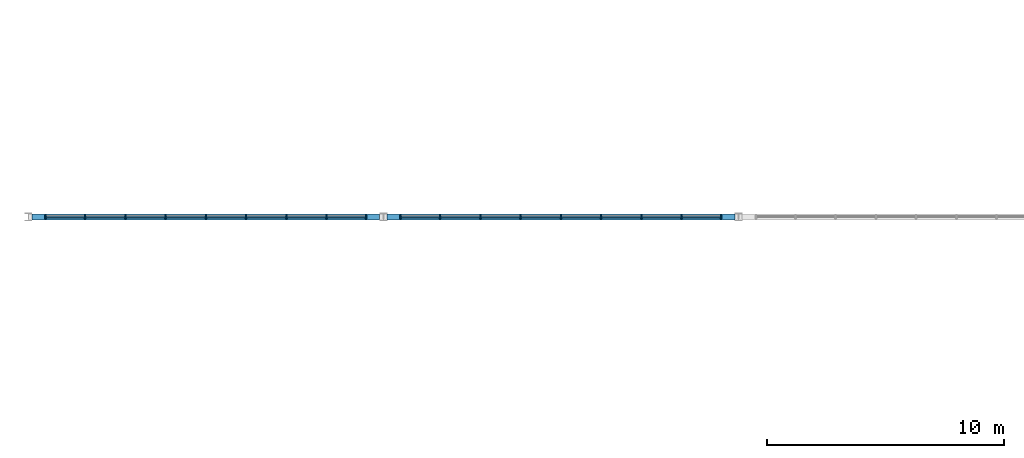
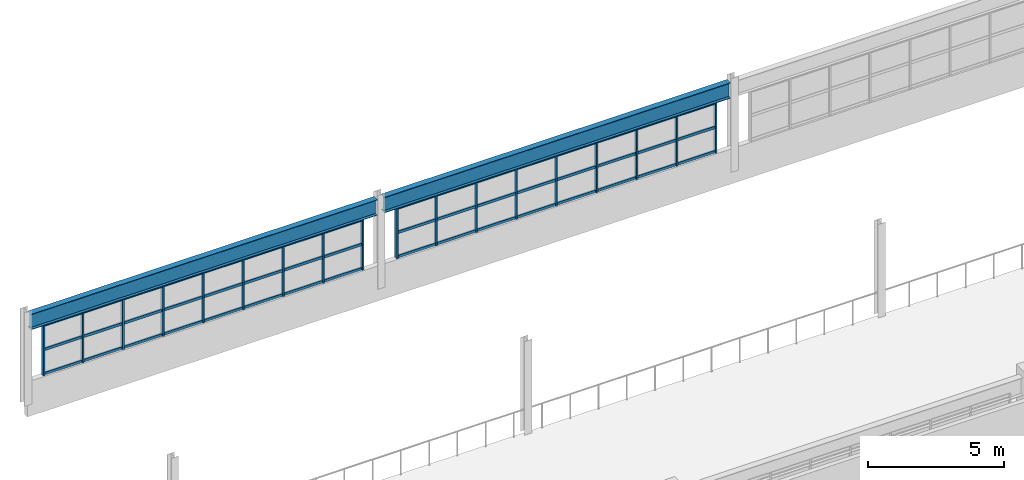
# One storey, part 13 of 92: 66 members, 2 beams, 2 elements without a shape of their own.
"""IFC4 building model written with IfcOpenShell, lengths in metres."""

from ifc_helpers import new_model, si_unit, direction, frame, origin, origin_2d, place, context, subcontext, project, spatial, rectangle, i_section, extrude, material, material_profile, profile_set, type_object, element, aggregate, save


model = new_model("IFC4")

# Units and contexts
model_context = context("Model", 3, precision=1e-05, world=origin(), true_north=direction((0.0, 1.0)))
body_context = subcontext(model_context, "Body", "Model", "MODEL_VIEW")
ifc_project = project(units=[si_unit("LENGTHUNIT", "METRE"), si_unit("AREAUNIT", "SQUARE_METRE"), si_unit("VOLUMEUNIT", "CUBIC_METRE"), si_unit("PLANEANGLEUNIT", "RADIAN"), si_unit("MASSUNIT", "GRAM", prefix="KILO")], contexts=[model_context])

# Site, building, storey
site_placement = place(None, origin())
site = spatial("IfcSite", under=ifc_project, at=site_placement, CompositionType="ELEMENT")
building_placement = place(site_placement, origin())
building = spatial("IfcBuilding", under=site, at=building_placement, Name="Solanera Park Tramway Depot", CompositionType="ELEMENT")
storey_placement = place(building_placement, frame((0.0, 0.0, 4.800048828125)))
storey = spatial("IfcBuildingStorey", under=building, at=storey_placement, Name="L01", CompositionType="ELEMENT", Elevation=4.800048828125)

# Curtain wall, members
ifc_material_1 = material(Name="Bronze-anodised thermally broken aluminium curtain wall", Category="aluminium")
curtain_wall_type = type_object("IfcCurtainWallType", Name="Workshop Daylight Ribbon Curtain Wall", PredefinedType="NOTDEFINED", material=ifc_material_1)
curtain_wall_1_placement = place(storey_placement, origin())
curtain_wall_1 = element("IfcCurtainWall", 1, at=curtain_wall_1_placement, inside=storey, type_object=curtain_wall_type, Name="L01 Workshop Daylight Ribbon Curtain Wall #140", PredefinedType="NOTDEFINED")
ifc_material_2 = material(Name="Bronze-anodised structural aluminium 6063-T6", Category="aluminium")
ifc_material_profile_1 = material_profile(ifc_material_2, rectangle(XDim=0.06494140625, YDim=0.14990234375, at=origin_2d()), Name="Curtain Wall Mullion 65x150")
ifc_profile_set_1 = profile_set([ifc_material_profile_1], Name="Bronze-anodised structural aluminium 6063-T6")
member_type_1 = type_object("IfcMemberType", Name="Curtain Wall Mullion 65x150", PredefinedType="MULLION", material=ifc_profile_set_1)
member_1_placement = place(storey_placement, frame((14.267578125, 54.0, 1.0), z_axis=(0.0, 0.0, 1.0), x_axis=(1.0, 0.0, 0.0)))
member_1 = element("IfcMember", 2, at=member_1_placement, type_object=member_type_1, Name="CW-L01-140 Mullion 1", PredefinedType="MULLION", context=body_context, shape_type="SweptSolid", body=[
    extrude(rectangle(XDim=0.06494140625, YDim=0.14990234375, at=origin_2d()), origin(), (0.0, 0.0, 1.0), 2.300048828125),
])
member_2_placement = place(storey_placement, frame((12.60009765625, 54.0, 1.0), z_axis=(0.0, 0.0, 1.0), x_axis=(1.0, 0.0, 0.0)))
member_2 = element("IfcMember", 3, at=member_2_placement, type_object=member_type_1, Name="CW-L01-140 Mullion 2", PredefinedType="MULLION", context=body_context, shape_type="SweptSolid", body=[
    extrude(rectangle(XDim=0.06494140625, YDim=0.14990234375, at=origin_2d()), origin(), (0.0, 0.0, 1.0), 2.300048828125),
])
member_3_placement = place(storey_placement, frame((10.89990234375, 54.0, 1.0), z_axis=(0.0, 0.0, 1.0), x_axis=(1.0, 0.0, 0.0)))
member_3 = element("IfcMember", 4, at=member_3_placement, type_object=member_type_1, Name="CW-L01-140 Mullion 3", PredefinedType="MULLION", context=body_context, shape_type="SweptSolid", body=[
    extrude(rectangle(XDim=0.06494140625, YDim=0.14990234375, at=origin_2d()), origin(), (0.0, 0.0, 1.0), 2.300048828125),
])
member_4_placement = place(storey_placement, frame((9.199951171875, 54.0, 1.0), z_axis=(0.0, 0.0, 1.0), x_axis=(1.0, 0.0, 0.0)))
member_4 = element("IfcMember", 5, at=member_4_placement, type_object=member_type_1, Name="CW-L01-140 Mullion 4", PredefinedType="MULLION", context=body_context, shape_type="SweptSolid", body=[
    extrude(rectangle(XDim=0.06494140625, YDim=0.14990234375, at=origin_2d()), origin(), (0.0, 0.0, 1.0), 2.300048828125),
])
member_5_placement = place(storey_placement, frame((7.5, 54.0, 1.0), z_axis=(0.0, 0.0, 1.0), x_axis=(1.0, 0.0, 0.0)))
member_5 = element("IfcMember", 6, at=member_5_placement, type_object=member_type_1, Name="CW-L01-140 Mullion 5", PredefinedType="MULLION", context=body_context, shape_type="SweptSolid", body=[
    extrude(rectangle(XDim=0.06494140625, YDim=0.14990234375, at=origin_2d()), origin(), (0.0, 0.0, 1.0), 2.300048828125),
])
member_6_placement = place(storey_placement, frame((5.800048828125, 54.0, 1.0), z_axis=(0.0, 0.0, 1.0), x_axis=(1.0, 0.0, 0.0)))
member_6 = element("IfcMember", 7, at=member_6_placement, type_object=member_type_1, Name="CW-L01-140 Mullion 6", PredefinedType="MULLION", context=body_context, shape_type="SweptSolid", body=[
    extrude(rectangle(XDim=0.06494140625, YDim=0.14990234375, at=origin_2d()), origin(), (0.0, 0.0, 1.0), 2.300048828125),
])
member_7_placement = place(storey_placement, frame((4.10009765625, 54.0, 1.0), z_axis=(0.0, 0.0, 1.0), x_axis=(1.0, 0.0, 0.0)))
member_7 = element("IfcMember", 8, at=member_7_placement, type_object=member_type_1, Name="CW-L01-140 Mullion 7", PredefinedType="MULLION", context=body_context, shape_type="SweptSolid", body=[
    extrude(rectangle(XDim=0.06494140625, YDim=0.14990234375, at=origin_2d()), origin(), (0.0, 0.0, 1.0), 2.300048828125),
])
member_8_placement = place(storey_placement, frame((2.39990234375, 54.0, 1.0), z_axis=(0.0, 0.0, 1.0), x_axis=(1.0, 0.0, 0.0)))
member_8 = element("IfcMember", 9, at=member_8_placement, type_object=member_type_1, Name="CW-L01-140 Mullion 8", PredefinedType="MULLION", context=body_context, shape_type="SweptSolid", body=[
    extrude(rectangle(XDim=0.06494140625, YDim=0.14990234375, at=origin_2d()), origin(), (0.0, 0.0, 1.0), 2.300048828125),
])
member_9_placement = place(storey_placement, frame((0.732421875, 54.0, 1.0), z_axis=(0.0, 0.0, 1.0), x_axis=(1.0, 0.0, 0.0)))
member_9 = element("IfcMember", 10, at=member_9_placement, type_object=member_type_1, Name="CW-L01-140 Mullion 9", PredefinedType="MULLION", context=body_context, shape_type="SweptSolid", body=[
    extrude(rectangle(XDim=0.06494140625, YDim=0.14990234375, at=origin_2d()), origin(), (0.0, 0.0, 1.0), 2.300048828125),
])

curtain_wall_2_placement = place(storey_placement, origin())
curtain_wall_2 = element("IfcCurtainWall", 11, at=curtain_wall_2_placement, inside=storey, type_object=curtain_wall_type, Name="L01 Workshop Daylight Ribbon Curtain Wall #142", PredefinedType="NOTDEFINED")
member_10_placement = place(storey_placement, frame((29.267578125, 54.0, 1.0), z_axis=(0.0, 0.0, 1.0), x_axis=(1.0, 0.0, 0.0)))
member_10 = element("IfcMember", 12, at=member_10_placement, type_object=member_type_1, Name="CW-L01-142 Mullion 1", PredefinedType="MULLION", context=body_context, shape_type="SweptSolid", body=[
    extrude(rectangle(XDim=0.06494140625, YDim=0.14990234375, at=origin_2d()), origin(), (0.0, 0.0, 1.0), 2.300048828125),
])
member_11_placement = place(storey_placement, frame((27.60009765625, 54.0, 1.0), z_axis=(0.0, 0.0, 1.0), x_axis=(1.0, 0.0, 0.0)))
member_11 = element("IfcMember", 13, at=member_11_placement, type_object=member_type_1, Name="CW-L01-142 Mullion 2", PredefinedType="MULLION", context=body_context, shape_type="SweptSolid", body=[
    extrude(rectangle(XDim=0.06494140625, YDim=0.14990234375, at=origin_2d()), origin(), (0.0, 0.0, 1.0), 2.300048828125),
])
member_12_placement = place(storey_placement, frame((25.89990234375, 54.0, 1.0), z_axis=(0.0, 0.0, 1.0), x_axis=(1.0, 0.0, 0.0)))
member_12 = element("IfcMember", 14, at=member_12_placement, type_object=member_type_1, Name="CW-L01-142 Mullion 3", PredefinedType="MULLION", context=body_context, shape_type="SweptSolid", body=[
    extrude(rectangle(XDim=0.06494140625, YDim=0.14990234375, at=origin_2d()), origin(), (0.0, 0.0, 1.0), 2.300048828125),
])
member_13_placement = place(storey_placement, frame((24.199951171875, 54.0, 1.0), z_axis=(0.0, 0.0, 1.0), x_axis=(1.0, 0.0, 0.0)))
member_13 = element("IfcMember", 15, at=member_13_placement, type_object=member_type_1, Name="CW-L01-142 Mullion 4", PredefinedType="MULLION", context=body_context, shape_type="SweptSolid", body=[
    extrude(rectangle(XDim=0.06494140625, YDim=0.14990234375, at=origin_2d()), origin(), (0.0, 0.0, 1.0), 2.300048828125),
])
member_14_placement = place(storey_placement, frame((22.5, 54.0, 1.0), z_axis=(0.0, 0.0, 1.0), x_axis=(1.0, 0.0, 0.0)))
member_14 = element("IfcMember", 16, at=member_14_placement, type_object=member_type_1, Name="CW-L01-142 Mullion 5", PredefinedType="MULLION", context=body_context, shape_type="SweptSolid", body=[
    extrude(rectangle(XDim=0.06494140625, YDim=0.14990234375, at=origin_2d()), origin(), (0.0, 0.0, 1.0), 2.300048828125),
])
member_15_placement = place(storey_placement, frame((20.800048828125, 54.0, 1.0), z_axis=(0.0, 0.0, 1.0), x_axis=(1.0, 0.0, 0.0)))
member_15 = element("IfcMember", 17, at=member_15_placement, type_object=member_type_1, Name="CW-L01-142 Mullion 6", PredefinedType="MULLION", context=body_context, shape_type="SweptSolid", body=[
    extrude(rectangle(XDim=0.06494140625, YDim=0.14990234375, at=origin_2d()), origin(), (0.0, 0.0, 1.0), 2.300048828125),
])
member_16_placement = place(storey_placement, frame((19.10009765625, 54.0, 1.0), z_axis=(0.0, 0.0, 1.0), x_axis=(1.0, 0.0, 0.0)))
member_16 = element("IfcMember", 18, at=member_16_placement, type_object=member_type_1, Name="CW-L01-142 Mullion 7", PredefinedType="MULLION", context=body_context, shape_type="SweptSolid", body=[
    extrude(rectangle(XDim=0.06494140625, YDim=0.14990234375, at=origin_2d()), origin(), (0.0, 0.0, 1.0), 2.300048828125),
])
member_17_placement = place(storey_placement, frame((17.39990234375, 54.0, 1.0), z_axis=(0.0, 0.0, 1.0), x_axis=(1.0, 0.0, 0.0)))
member_17 = element("IfcMember", 19, at=member_17_placement, type_object=member_type_1, Name="CW-L01-142 Mullion 8", PredefinedType="MULLION", context=body_context, shape_type="SweptSolid", body=[
    extrude(rectangle(XDim=0.06494140625, YDim=0.14990234375, at=origin_2d()), origin(), (0.0, 0.0, 1.0), 2.300048828125),
])
member_18_placement = place(storey_placement, frame((15.732421875, 54.0, 1.0), z_axis=(0.0, 0.0, 1.0), x_axis=(1.0, 0.0, 0.0)))
member_18 = element("IfcMember", 20, at=member_18_placement, type_object=member_type_1, Name="CW-L01-142 Mullion 9", PredefinedType="MULLION", context=body_context, shape_type="SweptSolid", body=[
    extrude(rectangle(XDim=0.06494140625, YDim=0.14990234375, at=origin_2d()), origin(), (0.0, 0.0, 1.0), 2.300048828125),
])

# Member
ifc_material_3 = material(Name="Bronze-anodised structural aluminium 6063-T6", Category="aluminium")
ifc_material_profile_2 = material_profile(ifc_material_3, rectangle(XDim=0.06494140625, YDim=0.1201171875, at=origin_2d()), Name="Curtain Wall Transom 65x120")
ifc_profile_set_2 = profile_set([ifc_material_profile_2], Name="Bronze-anodised structural aluminium 6063-T6")
member_type_2 = type_object("IfcMemberType", Name="Curtain Wall Transom 65x120", PredefinedType="USERDEFINED", material=ifc_profile_set_2)
member_19_placement = place(storey_placement, frame((14.239501953125, 54.0, 1.06005859375), z_axis=(-1.0, 0.0, 0.0), x_axis=(0.0, -1.0, 0.0)))
member_19 = element("IfcMember", 21, at=member_19_placement, type_object=member_type_2, Name="CW-L01-140 Transom R1.C1", ObjectType="TRANSOM", PredefinedType="USERDEFINED", context=body_context, shape_type="SweptSolid", body=[
    extrude(rectangle(XDim=0.06494140625, YDim=0.1201171875, at=origin_2d()), origin(), (0.0, 0.0, 1.0), 1.611572265625),
])

member_20_placement = place(storey_placement, frame((12.572021484375, 54.0, 1.06005859375), z_axis=(-1.0, 0.0, 0.0), x_axis=(0.0, -1.0, 0.0)))
member_20 = element("IfcMember", 22, at=member_20_placement, type_object=member_type_2, Name="CW-L01-140 Transom R1.C2", ObjectType="TRANSOM", PredefinedType="USERDEFINED", context=body_context, shape_type="SweptSolid", body=[
    extrude(rectangle(XDim=0.06494140625, YDim=0.1201171875, at=origin_2d()), origin(), (0.0, 0.0, 1.0), 1.64404296875),
])

member_21_placement = place(storey_placement, frame((10.8720703125, 54.0, 1.06005859375), z_axis=(-1.0, 0.0, 0.0), x_axis=(0.0, -1.0, 0.0)))
member_21 = element("IfcMember", 23, at=member_21_placement, type_object=member_type_2, Name="CW-L01-140 Transom R1.C3", ObjectType="TRANSOM", PredefinedType="USERDEFINED", context=body_context, shape_type="SweptSolid", body=[
    extrude(rectangle(XDim=0.06494140625, YDim=0.1201171875, at=origin_2d()), origin(), (0.0, 0.0, 1.0), 1.64404296875),
])

member_22_placement = place(storey_placement, frame((9.172119140625, 54.0, 1.06005859375), z_axis=(-1.0, 0.0, 0.0), x_axis=(0.0, -1.0, 0.0)))
member_22 = element("IfcMember", 24, at=member_22_placement, type_object=member_type_2, Name="CW-L01-140 Transom R1.C4", ObjectType="TRANSOM", PredefinedType="USERDEFINED", context=body_context, shape_type="SweptSolid", body=[
    extrude(rectangle(XDim=0.06494140625, YDim=0.1201171875, at=origin_2d()), origin(), (0.0, 0.0, 1.0), 1.64404296875),
])

member_23_placement = place(storey_placement, frame((7.471923828125, 54.0, 1.06005859375), z_axis=(-1.0, 0.0, 0.0), x_axis=(0.0, -1.0, 0.0)))
member_23 = element("IfcMember", 25, at=member_23_placement, type_object=member_type_2, Name="CW-L01-140 Transom R1.C5", ObjectType="TRANSOM", PredefinedType="USERDEFINED", context=body_context, shape_type="SweptSolid", body=[
    extrude(rectangle(XDim=0.06494140625, YDim=0.1201171875, at=origin_2d()), origin(), (0.0, 0.0, 1.0), 1.64404296875),
])

member_24_placement = place(storey_placement, frame((5.77197265625, 54.0, 1.06005859375), z_axis=(-1.0, 0.0, 0.0), x_axis=(0.0, -1.0, 0.0)))
member_24 = element("IfcMember", 26, at=member_24_placement, type_object=member_type_2, Name="CW-L01-140 Transom R1.C6", ObjectType="TRANSOM", PredefinedType="USERDEFINED", context=body_context, shape_type="SweptSolid", body=[
    extrude(rectangle(XDim=0.06494140625, YDim=0.1201171875, at=origin_2d()), origin(), (0.0, 0.0, 1.0), 1.64404296875),
])

member_25_placement = place(storey_placement, frame((4.072021484375, 54.0, 1.06005859375), z_axis=(-1.0, 0.0, 0.0), x_axis=(0.0, -1.0, 0.0)))
member_25 = element("IfcMember", 27, at=member_25_placement, type_object=member_type_2, Name="CW-L01-140 Transom R1.C7", ObjectType="TRANSOM", PredefinedType="USERDEFINED", context=body_context, shape_type="SweptSolid", body=[
    extrude(rectangle(XDim=0.06494140625, YDim=0.1201171875, at=origin_2d()), origin(), (0.0, 0.0, 1.0), 1.64404296875),
])

member_26_placement = place(storey_placement, frame((2.3720703125, 54.0, 1.06005859375), z_axis=(-1.0, 0.0, 0.0), x_axis=(0.0, -1.0, 0.0)))
member_26 = element("IfcMember", 28, at=member_26_placement, type_object=member_type_2, Name="CW-L01-140 Transom R1.C8", ObjectType="TRANSOM", PredefinedType="USERDEFINED", context=body_context, shape_type="SweptSolid", body=[
    extrude(rectangle(XDim=0.06494140625, YDim=0.1201171875, at=origin_2d()), origin(), (0.0, 0.0, 1.0), 1.611572265625),
])

member_27_placement = place(storey_placement, frame((14.239501953125, 54.0, 2.14990234375), z_axis=(-1.0, 0.0, 0.0), x_axis=(0.0, -1.0, 0.0)))
member_27 = element("IfcMember", 29, at=member_27_placement, type_object=member_type_2, Name="CW-L01-140 Transom R2.C1", ObjectType="TRANSOM", PredefinedType="USERDEFINED", context=body_context, shape_type="SweptSolid", body=[
    extrude(rectangle(XDim=0.06494140625, YDim=0.1201171875, at=origin_2d()), origin(), (0.0, 0.0, 1.0), 1.611572265625),
])

member_28_placement = place(storey_placement, frame((12.572021484375, 54.0, 2.14990234375), z_axis=(-1.0, 0.0, 0.0), x_axis=(0.0, -1.0, 0.0)))
member_28 = element("IfcMember", 30, at=member_28_placement, type_object=member_type_2, Name="CW-L01-140 Transom R2.C2", ObjectType="TRANSOM", PredefinedType="USERDEFINED", context=body_context, shape_type="SweptSolid", body=[
    extrude(rectangle(XDim=0.06494140625, YDim=0.1201171875, at=origin_2d()), origin(), (0.0, 0.0, 1.0), 1.64404296875),
])

member_29_placement = place(storey_placement, frame((10.8720703125, 54.0, 2.14990234375), z_axis=(-1.0, 0.0, 0.0), x_axis=(0.0, -1.0, 0.0)))
member_29 = element("IfcMember", 31, at=member_29_placement, type_object=member_type_2, Name="CW-L01-140 Transom R2.C3", ObjectType="TRANSOM", PredefinedType="USERDEFINED", context=body_context, shape_type="SweptSolid", body=[
    extrude(rectangle(XDim=0.06494140625, YDim=0.1201171875, at=origin_2d()), origin(), (0.0, 0.0, 1.0), 1.64404296875),
])

member_30_placement = place(storey_placement, frame((9.172119140625, 54.0, 2.14990234375), z_axis=(-1.0, 0.0, 0.0), x_axis=(0.0, -1.0, 0.0)))
member_30 = element("IfcMember", 32, at=member_30_placement, type_object=member_type_2, Name="CW-L01-140 Transom R2.C4", ObjectType="TRANSOM", PredefinedType="USERDEFINED", context=body_context, shape_type="SweptSolid", body=[
    extrude(rectangle(XDim=0.06494140625, YDim=0.1201171875, at=origin_2d()), origin(), (0.0, 0.0, 1.0), 1.64404296875),
])

member_31_placement = place(storey_placement, frame((7.471923828125, 54.0, 2.14990234375), z_axis=(-1.0, 0.0, 0.0), x_axis=(0.0, -1.0, 0.0)))
member_31 = element("IfcMember", 33, at=member_31_placement, type_object=member_type_2, Name="CW-L01-140 Transom R2.C5", ObjectType="TRANSOM", PredefinedType="USERDEFINED", context=body_context, shape_type="SweptSolid", body=[
    extrude(rectangle(XDim=0.06494140625, YDim=0.1201171875, at=origin_2d()), origin(), (0.0, 0.0, 1.0), 1.64404296875),
])

member_32_placement = place(storey_placement, frame((5.77197265625, 54.0, 2.14990234375), z_axis=(-1.0, 0.0, 0.0), x_axis=(0.0, -1.0, 0.0)))
member_32 = element("IfcMember", 34, at=member_32_placement, type_object=member_type_2, Name="CW-L01-140 Transom R2.C6", ObjectType="TRANSOM", PredefinedType="USERDEFINED", context=body_context, shape_type="SweptSolid", body=[
    extrude(rectangle(XDim=0.06494140625, YDim=0.1201171875, at=origin_2d()), origin(), (0.0, 0.0, 1.0), 1.64404296875),
])

member_33_placement = place(storey_placement, frame((4.072021484375, 54.0, 2.14990234375), z_axis=(-1.0, 0.0, 0.0), x_axis=(0.0, -1.0, 0.0)))
member_33 = element("IfcMember", 35, at=member_33_placement, type_object=member_type_2, Name="CW-L01-140 Transom R2.C7", ObjectType="TRANSOM", PredefinedType="USERDEFINED", context=body_context, shape_type="SweptSolid", body=[
    extrude(rectangle(XDim=0.06494140625, YDim=0.1201171875, at=origin_2d()), origin(), (0.0, 0.0, 1.0), 1.64404296875),
])

member_34_placement = place(storey_placement, frame((2.3720703125, 54.0, 2.14990234375), z_axis=(-1.0, 0.0, 0.0), x_axis=(0.0, -1.0, 0.0)))
member_34 = element("IfcMember", 36, at=member_34_placement, type_object=member_type_2, Name="CW-L01-140 Transom R2.C8", ObjectType="TRANSOM", PredefinedType="USERDEFINED", context=body_context, shape_type="SweptSolid", body=[
    extrude(rectangle(XDim=0.06494140625, YDim=0.1201171875, at=origin_2d()), origin(), (0.0, 0.0, 1.0), 1.611572265625),
])

member_35_placement = place(storey_placement, frame((14.239501953125, 54.0, 3.239990234375), z_axis=(-1.0, 0.0, 0.0), x_axis=(0.0, -1.0, 0.0)))
member_35 = element("IfcMember", 37, at=member_35_placement, type_object=member_type_2, Name="CW-L01-140 Transom R3.C1", ObjectType="TRANSOM", PredefinedType="USERDEFINED", context=body_context, shape_type="SweptSolid", body=[
    extrude(rectangle(XDim=0.06494140625, YDim=0.1201171875, at=origin_2d()), origin(), (0.0, 0.0, 1.0), 1.611572265625),
])

member_36_placement = place(storey_placement, frame((12.572021484375, 54.0, 3.239990234375), z_axis=(-1.0, 0.0, 0.0), x_axis=(0.0, -1.0, 0.0)))
member_36 = element("IfcMember", 38, at=member_36_placement, type_object=member_type_2, Name="CW-L01-140 Transom R3.C2", ObjectType="TRANSOM", PredefinedType="USERDEFINED", context=body_context, shape_type="SweptSolid", body=[
    extrude(rectangle(XDim=0.06494140625, YDim=0.1201171875, at=origin_2d()), origin(), (0.0, 0.0, 1.0), 1.64404296875),
])

member_37_placement = place(storey_placement, frame((10.8720703125, 54.0, 3.239990234375), z_axis=(-1.0, 0.0, 0.0), x_axis=(0.0, -1.0, 0.0)))
member_37 = element("IfcMember", 39, at=member_37_placement, type_object=member_type_2, Name="CW-L01-140 Transom R3.C3", ObjectType="TRANSOM", PredefinedType="USERDEFINED", context=body_context, shape_type="SweptSolid", body=[
    extrude(rectangle(XDim=0.06494140625, YDim=0.1201171875, at=origin_2d()), origin(), (0.0, 0.0, 1.0), 1.64404296875),
])

member_38_placement = place(storey_placement, frame((9.172119140625, 54.0, 3.239990234375), z_axis=(-1.0, 0.0, 0.0), x_axis=(0.0, -1.0, 0.0)))
member_38 = element("IfcMember", 40, at=member_38_placement, type_object=member_type_2, Name="CW-L01-140 Transom R3.C4", ObjectType="TRANSOM", PredefinedType="USERDEFINED", context=body_context, shape_type="SweptSolid", body=[
    extrude(rectangle(XDim=0.06494140625, YDim=0.1201171875, at=origin_2d()), origin(), (0.0, 0.0, 1.0), 1.64404296875),
])

member_39_placement = place(storey_placement, frame((7.471923828125, 54.0, 3.239990234375), z_axis=(-1.0, 0.0, 0.0), x_axis=(0.0, -1.0, 0.0)))
member_39 = element("IfcMember", 41, at=member_39_placement, type_object=member_type_2, Name="CW-L01-140 Transom R3.C5", ObjectType="TRANSOM", PredefinedType="USERDEFINED", context=body_context, shape_type="SweptSolid", body=[
    extrude(rectangle(XDim=0.06494140625, YDim=0.1201171875, at=origin_2d()), origin(), (0.0, 0.0, 1.0), 1.64404296875),
])

member_40_placement = place(storey_placement, frame((5.77197265625, 54.0, 3.239990234375), z_axis=(-1.0, 0.0, 0.0), x_axis=(0.0, -1.0, 0.0)))
member_40 = element("IfcMember", 42, at=member_40_placement, type_object=member_type_2, Name="CW-L01-140 Transom R3.C6", ObjectType="TRANSOM", PredefinedType="USERDEFINED", context=body_context, shape_type="SweptSolid", body=[
    extrude(rectangle(XDim=0.06494140625, YDim=0.1201171875, at=origin_2d()), origin(), (0.0, 0.0, 1.0), 1.64404296875),
])

member_41_placement = place(storey_placement, frame((4.072021484375, 54.0, 3.239990234375), z_axis=(-1.0, 0.0, 0.0), x_axis=(0.0, -1.0, 0.0)))
member_41 = element("IfcMember", 43, at=member_41_placement, type_object=member_type_2, Name="CW-L01-140 Transom R3.C7", ObjectType="TRANSOM", PredefinedType="USERDEFINED", context=body_context, shape_type="SweptSolid", body=[
    extrude(rectangle(XDim=0.06494140625, YDim=0.1201171875, at=origin_2d()), origin(), (0.0, 0.0, 1.0), 1.64404296875),
])

member_42_placement = place(storey_placement, frame((2.3720703125, 54.0, 3.239990234375), z_axis=(-1.0, 0.0, 0.0), x_axis=(0.0, -1.0, 0.0)))
member_42 = element("IfcMember", 44, at=member_42_placement, type_object=member_type_2, Name="CW-L01-140 Transom R3.C8", ObjectType="TRANSOM", PredefinedType="USERDEFINED", context=body_context, shape_type="SweptSolid", body=[
    extrude(rectangle(XDim=0.06494140625, YDim=0.1201171875, at=origin_2d()), origin(), (0.0, 0.0, 1.0), 1.611572265625),
])

aggregate(curtain_wall_1, [member_1, member_2, member_3, member_4, member_5, member_6, member_7, member_8, member_9, member_19, member_20, member_21, member_22, member_23, member_24, member_25, member_26, member_27, member_28, member_29, member_30, member_31, member_32, member_33, member_34, member_35, member_36, member_37, member_38, member_39, member_40, member_41, member_42])

member_43_placement = place(storey_placement, frame((29.239501953125, 54.0, 1.06005859375), z_axis=(-1.0, 0.0, 0.0), x_axis=(0.0, -1.0, 0.0)))
member_43 = element("IfcMember", 45, at=member_43_placement, type_object=member_type_2, Name="CW-L01-142 Transom R1.C1", ObjectType="TRANSOM", PredefinedType="USERDEFINED", context=body_context, shape_type="SweptSolid", body=[
    extrude(rectangle(XDim=0.06494140625, YDim=0.1201171875, at=origin_2d()), origin(), (0.0, 0.0, 1.0), 1.611572265625),
])

member_44_placement = place(storey_placement, frame((27.572021484375, 54.0, 1.06005859375), z_axis=(-1.0, 0.0, 0.0), x_axis=(0.0, -1.0, 0.0)))
member_44 = element("IfcMember", 46, at=member_44_placement, type_object=member_type_2, Name="CW-L01-142 Transom R1.C2", ObjectType="TRANSOM", PredefinedType="USERDEFINED", context=body_context, shape_type="SweptSolid", body=[
    extrude(rectangle(XDim=0.06494140625, YDim=0.1201171875, at=origin_2d()), origin(), (0.0, 0.0, 1.0), 1.64404296875),
])

member_45_placement = place(storey_placement, frame((25.8720703125, 54.0, 1.06005859375), z_axis=(-1.0, 0.0, 0.0), x_axis=(0.0, -1.0, 0.0)))
member_45 = element("IfcMember", 47, at=member_45_placement, type_object=member_type_2, Name="CW-L01-142 Transom R1.C3", ObjectType="TRANSOM", PredefinedType="USERDEFINED", context=body_context, shape_type="SweptSolid", body=[
    extrude(rectangle(XDim=0.06494140625, YDim=0.1201171875, at=origin_2d()), origin(), (0.0, 0.0, 1.0), 1.64404296875),
])

member_46_placement = place(storey_placement, frame((24.172119140625, 54.0, 1.06005859375), z_axis=(-1.0, 0.0, 0.0), x_axis=(0.0, -1.0, 0.0)))
member_46 = element("IfcMember", 48, at=member_46_placement, type_object=member_type_2, Name="CW-L01-142 Transom R1.C4", ObjectType="TRANSOM", PredefinedType="USERDEFINED", context=body_context, shape_type="SweptSolid", body=[
    extrude(rectangle(XDim=0.06494140625, YDim=0.1201171875, at=origin_2d()), origin(), (0.0, 0.0, 1.0), 1.64404296875),
])

member_47_placement = place(storey_placement, frame((22.471923828125, 54.0, 1.06005859375), z_axis=(-1.0, 0.0, 0.0), x_axis=(0.0, -1.0, 0.0)))
member_47 = element("IfcMember", 49, at=member_47_placement, type_object=member_type_2, Name="CW-L01-142 Transom R1.C5", ObjectType="TRANSOM", PredefinedType="USERDEFINED", context=body_context, shape_type="SweptSolid", body=[
    extrude(rectangle(XDim=0.06494140625, YDim=0.1201171875, at=origin_2d()), origin(), (0.0, 0.0, 1.0), 1.64404296875),
])

member_48_placement = place(storey_placement, frame((20.77197265625, 54.0, 1.06005859375), z_axis=(-1.0, 0.0, 0.0), x_axis=(0.0, -1.0, 0.0)))
member_48 = element("IfcMember", 50, at=member_48_placement, type_object=member_type_2, Name="CW-L01-142 Transom R1.C6", ObjectType="TRANSOM", PredefinedType="USERDEFINED", context=body_context, shape_type="SweptSolid", body=[
    extrude(rectangle(XDim=0.06494140625, YDim=0.1201171875, at=origin_2d()), origin(), (0.0, 0.0, 1.0), 1.64404296875),
])

member_49_placement = place(storey_placement, frame((19.072021484375, 54.0, 1.06005859375), z_axis=(-1.0, 0.0, 0.0), x_axis=(0.0, -1.0, 0.0)))
member_49 = element("IfcMember", 51, at=member_49_placement, type_object=member_type_2, Name="CW-L01-142 Transom R1.C7", ObjectType="TRANSOM", PredefinedType="USERDEFINED", context=body_context, shape_type="SweptSolid", body=[
    extrude(rectangle(XDim=0.06494140625, YDim=0.1201171875, at=origin_2d()), origin(), (0.0, 0.0, 1.0), 1.64404296875),
])

member_50_placement = place(storey_placement, frame((17.3720703125, 54.0, 1.06005859375), z_axis=(-1.0, 0.0, 0.0), x_axis=(0.0, -1.0, 0.0)))
member_50 = element("IfcMember", 52, at=member_50_placement, type_object=member_type_2, Name="CW-L01-142 Transom R1.C8", ObjectType="TRANSOM", PredefinedType="USERDEFINED", context=body_context, shape_type="SweptSolid", body=[
    extrude(rectangle(XDim=0.06494140625, YDim=0.1201171875, at=origin_2d()), origin(), (0.0, 0.0, 1.0), 1.611572265625),
])

member_51_placement = place(storey_placement, frame((29.239501953125, 54.0, 2.14990234375), z_axis=(-1.0, 0.0, 0.0), x_axis=(0.0, -1.0, 0.0)))
member_51 = element("IfcMember", 53, at=member_51_placement, type_object=member_type_2, Name="CW-L01-142 Transom R2.C1", ObjectType="TRANSOM", PredefinedType="USERDEFINED", context=body_context, shape_type="SweptSolid", body=[
    extrude(rectangle(XDim=0.06494140625, YDim=0.1201171875, at=origin_2d()), origin(), (0.0, 0.0, 1.0), 1.611572265625),
])

member_52_placement = place(storey_placement, frame((27.572021484375, 54.0, 2.14990234375), z_axis=(-1.0, 0.0, 0.0), x_axis=(0.0, -1.0, 0.0)))
member_52 = element("IfcMember", 54, at=member_52_placement, type_object=member_type_2, Name="CW-L01-142 Transom R2.C2", ObjectType="TRANSOM", PredefinedType="USERDEFINED", context=body_context, shape_type="SweptSolid", body=[
    extrude(rectangle(XDim=0.06494140625, YDim=0.1201171875, at=origin_2d()), origin(), (0.0, 0.0, 1.0), 1.64404296875),
])

member_53_placement = place(storey_placement, frame((25.8720703125, 54.0, 2.14990234375), z_axis=(-1.0, 0.0, 0.0), x_axis=(0.0, -1.0, 0.0)))
member_53 = element("IfcMember", 55, at=member_53_placement, type_object=member_type_2, Name="CW-L01-142 Transom R2.C3", ObjectType="TRANSOM", PredefinedType="USERDEFINED", context=body_context, shape_type="SweptSolid", body=[
    extrude(rectangle(XDim=0.06494140625, YDim=0.1201171875, at=origin_2d()), origin(), (0.0, 0.0, 1.0), 1.64404296875),
])

member_54_placement = place(storey_placement, frame((24.172119140625, 54.0, 2.14990234375), z_axis=(-1.0, 0.0, 0.0), x_axis=(0.0, -1.0, 0.0)))
member_54 = element("IfcMember", 56, at=member_54_placement, type_object=member_type_2, Name="CW-L01-142 Transom R2.C4", ObjectType="TRANSOM", PredefinedType="USERDEFINED", context=body_context, shape_type="SweptSolid", body=[
    extrude(rectangle(XDim=0.06494140625, YDim=0.1201171875, at=origin_2d()), origin(), (0.0, 0.0, 1.0), 1.64404296875),
])

member_55_placement = place(storey_placement, frame((22.471923828125, 54.0, 2.14990234375), z_axis=(-1.0, 0.0, 0.0), x_axis=(0.0, -1.0, 0.0)))
member_55 = element("IfcMember", 57, at=member_55_placement, type_object=member_type_2, Name="CW-L01-142 Transom R2.C5", ObjectType="TRANSOM", PredefinedType="USERDEFINED", context=body_context, shape_type="SweptSolid", body=[
    extrude(rectangle(XDim=0.06494140625, YDim=0.1201171875, at=origin_2d()), origin(), (0.0, 0.0, 1.0), 1.64404296875),
])

member_56_placement = place(storey_placement, frame((20.77197265625, 54.0, 2.14990234375), z_axis=(-1.0, 0.0, 0.0), x_axis=(0.0, -1.0, 0.0)))
member_56 = element("IfcMember", 58, at=member_56_placement, type_object=member_type_2, Name="CW-L01-142 Transom R2.C6", ObjectType="TRANSOM", PredefinedType="USERDEFINED", context=body_context, shape_type="SweptSolid", body=[
    extrude(rectangle(XDim=0.06494140625, YDim=0.1201171875, at=origin_2d()), origin(), (0.0, 0.0, 1.0), 1.64404296875),
])

member_57_placement = place(storey_placement, frame((19.072021484375, 54.0, 2.14990234375), z_axis=(-1.0, 0.0, 0.0), x_axis=(0.0, -1.0, 0.0)))
member_57 = element("IfcMember", 59, at=member_57_placement, type_object=member_type_2, Name="CW-L01-142 Transom R2.C7", ObjectType="TRANSOM", PredefinedType="USERDEFINED", context=body_context, shape_type="SweptSolid", body=[
    extrude(rectangle(XDim=0.06494140625, YDim=0.1201171875, at=origin_2d()), origin(), (0.0, 0.0, 1.0), 1.64404296875),
])

member_58_placement = place(storey_placement, frame((17.3720703125, 54.0, 2.14990234375), z_axis=(-1.0, 0.0, 0.0), x_axis=(0.0, -1.0, 0.0)))
member_58 = element("IfcMember", 60, at=member_58_placement, type_object=member_type_2, Name="CW-L01-142 Transom R2.C8", ObjectType="TRANSOM", PredefinedType="USERDEFINED", context=body_context, shape_type="SweptSolid", body=[
    extrude(rectangle(XDim=0.06494140625, YDim=0.1201171875, at=origin_2d()), origin(), (0.0, 0.0, 1.0), 1.611572265625),
])

member_59_placement = place(storey_placement, frame((29.239501953125, 54.0, 3.239990234375), z_axis=(-1.0, 0.0, 0.0), x_axis=(0.0, -1.0, 0.0)))
member_59 = element("IfcMember", 61, at=member_59_placement, type_object=member_type_2, Name="CW-L01-142 Transom R3.C1", ObjectType="TRANSOM", PredefinedType="USERDEFINED", context=body_context, shape_type="SweptSolid", body=[
    extrude(rectangle(XDim=0.06494140625, YDim=0.1201171875, at=origin_2d()), origin(), (0.0, 0.0, 1.0), 1.611572265625),
])

member_60_placement = place(storey_placement, frame((27.572021484375, 54.0, 3.239990234375), z_axis=(-1.0, 0.0, 0.0), x_axis=(0.0, -1.0, 0.0)))
member_60 = element("IfcMember", 62, at=member_60_placement, type_object=member_type_2, Name="CW-L01-142 Transom R3.C2", ObjectType="TRANSOM", PredefinedType="USERDEFINED", context=body_context, shape_type="SweptSolid", body=[
    extrude(rectangle(XDim=0.06494140625, YDim=0.1201171875, at=origin_2d()), origin(), (0.0, 0.0, 1.0), 1.64404296875),
])

member_61_placement = place(storey_placement, frame((25.8720703125, 54.0, 3.239990234375), z_axis=(-1.0, 0.0, 0.0), x_axis=(0.0, -1.0, 0.0)))
member_61 = element("IfcMember", 63, at=member_61_placement, type_object=member_type_2, Name="CW-L01-142 Transom R3.C3", ObjectType="TRANSOM", PredefinedType="USERDEFINED", context=body_context, shape_type="SweptSolid", body=[
    extrude(rectangle(XDim=0.06494140625, YDim=0.1201171875, at=origin_2d()), origin(), (0.0, 0.0, 1.0), 1.64404296875),
])

member_62_placement = place(storey_placement, frame((24.172119140625, 54.0, 3.239990234375), z_axis=(-1.0, 0.0, 0.0), x_axis=(0.0, -1.0, 0.0)))
member_62 = element("IfcMember", 64, at=member_62_placement, type_object=member_type_2, Name="CW-L01-142 Transom R3.C4", ObjectType="TRANSOM", PredefinedType="USERDEFINED", context=body_context, shape_type="SweptSolid", body=[
    extrude(rectangle(XDim=0.06494140625, YDim=0.1201171875, at=origin_2d()), origin(), (0.0, 0.0, 1.0), 1.64404296875),
])

member_63_placement = place(storey_placement, frame((22.471923828125, 54.0, 3.239990234375), z_axis=(-1.0, 0.0, 0.0), x_axis=(0.0, -1.0, 0.0)))
member_63 = element("IfcMember", 65, at=member_63_placement, type_object=member_type_2, Name="CW-L01-142 Transom R3.C5", ObjectType="TRANSOM", PredefinedType="USERDEFINED", context=body_context, shape_type="SweptSolid", body=[
    extrude(rectangle(XDim=0.06494140625, YDim=0.1201171875, at=origin_2d()), origin(), (0.0, 0.0, 1.0), 1.64404296875),
])

member_64_placement = place(storey_placement, frame((20.77197265625, 54.0, 3.239990234375), z_axis=(-1.0, 0.0, 0.0), x_axis=(0.0, -1.0, 0.0)))
member_64 = element("IfcMember", 66, at=member_64_placement, type_object=member_type_2, Name="CW-L01-142 Transom R3.C6", ObjectType="TRANSOM", PredefinedType="USERDEFINED", context=body_context, shape_type="SweptSolid", body=[
    extrude(rectangle(XDim=0.06494140625, YDim=0.1201171875, at=origin_2d()), origin(), (0.0, 0.0, 1.0), 1.64404296875),
])

member_65_placement = place(storey_placement, frame((19.072021484375, 54.0, 3.239990234375), z_axis=(-1.0, 0.0, 0.0), x_axis=(0.0, -1.0, 0.0)))
member_65 = element("IfcMember", 67, at=member_65_placement, type_object=member_type_2, Name="CW-L01-142 Transom R3.C7", ObjectType="TRANSOM", PredefinedType="USERDEFINED", context=body_context, shape_type="SweptSolid", body=[
    extrude(rectangle(XDim=0.06494140625, YDim=0.1201171875, at=origin_2d()), origin(), (0.0, 0.0, 1.0), 1.64404296875),
])

member_66_placement = place(storey_placement, frame((17.3720703125, 54.0, 3.239990234375), z_axis=(-1.0, 0.0, 0.0), x_axis=(0.0, -1.0, 0.0)))
member_66 = element("IfcMember", 68, at=member_66_placement, type_object=member_type_2, Name="CW-L01-142 Transom R3.C8", ObjectType="TRANSOM", PredefinedType="USERDEFINED", context=body_context, shape_type="SweptSolid", body=[
    extrude(rectangle(XDim=0.06494140625, YDim=0.1201171875, at=origin_2d()), origin(), (0.0, 0.0, 1.0), 1.611572265625),
])

aggregate(curtain_wall_2, [member_10, member_11, member_12, member_13, member_14, member_15, member_16, member_17, member_18, member_43, member_44, member_45, member_46, member_47, member_48, member_49, member_50, member_51, member_52, member_53, member_54, member_55, member_56, member_57, member_58, member_59, member_60, member_61, member_62, member_63, member_64, member_65, member_66])

# Beams
ifc_material_4 = material(Name="Steel AS/NZS 3679.1 Grade 350", Category="steel")
ifc_material_profile_3 = material_profile(ifc_material_4, i_section(OverallWidth=0.25, OverallDepth=0.699951171875, WebThickness=0.010009765625, FlangeThickness=0.02001953125, at=origin_2d()), Name="700WB130")
ifc_profile_set_3 = profile_set([ifc_material_profile_3], Name="Steel AS/NZS 3679.1 Grade 350")
beam_type = type_object("IfcBeamType", Name="Steel Beam 700WB130", PredefinedType="BEAM", material=ifc_profile_set_3)
for number, where, z_axis, x_axis, name in (
    (69, (0.1552734375, 54.0, 3.64990234375), (1.0, 0.0, 0.0), (0.0, 1.0, 0.0), "Bridge Crane Runway Girder 700WB130 #0402"),
    (70, (15.1552734375, 54.0, 3.64990234375), (1.0, 0.0, 0.0), (0.0, 1.0, 0.0), "Bridge Crane Runway Girder 700WB130 #0404"),
):
    element("IfcBeam", number, at=place(storey_placement, frame(where, z_axis=z_axis, x_axis=x_axis)), inside=storey, type_object=beam_type, Name=name, PredefinedType="BEAM", context=body_context, shape_type="SweptSolid", body=[
        extrude(i_section(OverallWidth=0.25, OverallDepth=0.699951171875, WebThickness=0.010009765625, FlangeThickness=0.02001953125, at=origin_2d()), origin(), (0.0, 0.0, 1.0), 14.689453125),
    ])

save(model, "model.ifc")
